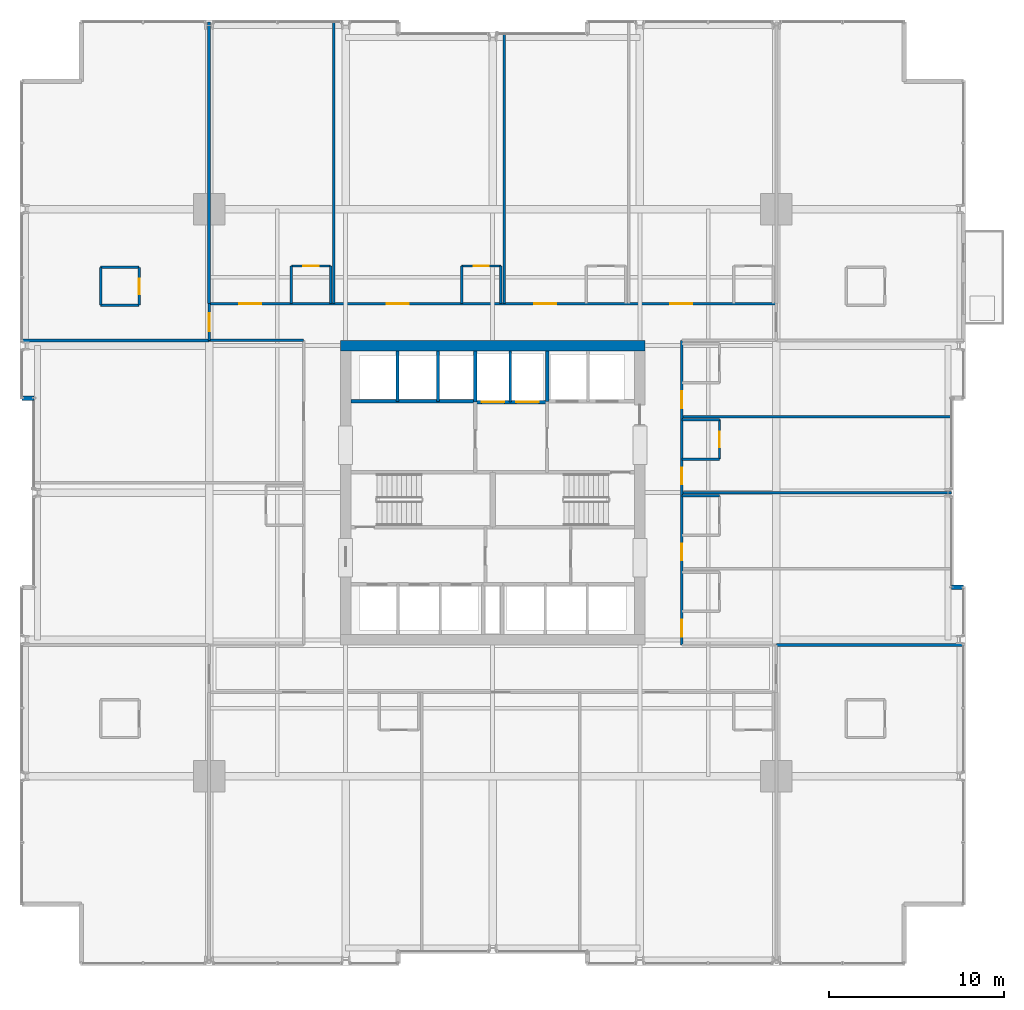
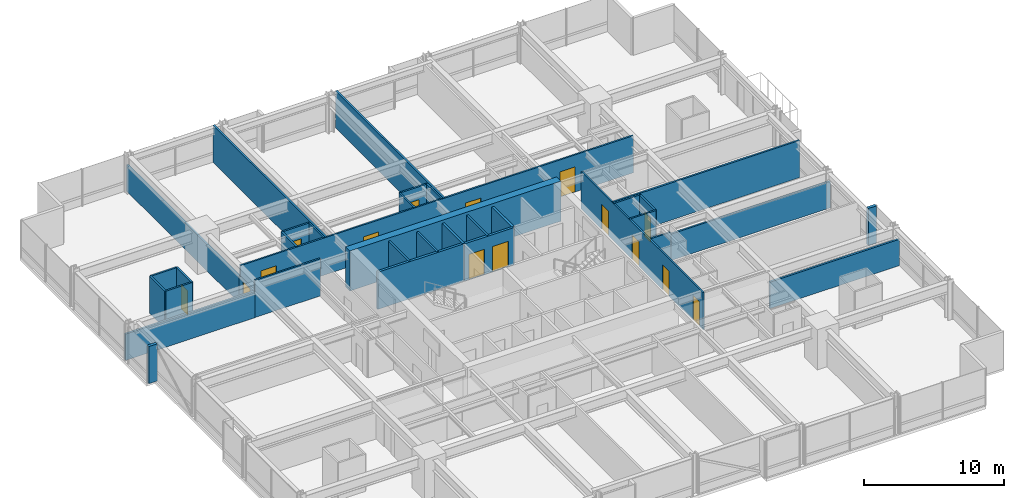
# One storey, part 32 of 37: 35 walls, 15 doors, 15 openings.
"""IFC4 building model written with IfcOpenShell, lengths in metres."""

from ifc_helpers import new_model, si_unit, direction, frame, frame_2d, origin, place, context, subcontext, project, spatial, rectangle, extrude, material, layer, layer_set, type_object, element, fill, save


model = new_model("IFC4")

# Units and contexts
model_context = context("Model", 3, precision=1e-05, world=origin(), true_north=direction((0.0, 1.0)))
body_context = subcontext(model_context, "Body", "Model", "MODEL_VIEW")
ifc_project = project(units=[si_unit("LENGTHUNIT", "METRE"), si_unit("AREAUNIT", "SQUARE_METRE"), si_unit("VOLUMEUNIT", "CUBIC_METRE"), si_unit("PLANEANGLEUNIT", "RADIAN"), si_unit("MASSUNIT", "GRAM", prefix="KILO")], contexts=[model_context])

# Site, building, storey
site_placement = place(None, origin())
site = spatial("IfcSite", under=ifc_project, at=site_placement, CompositionType="ELEMENT")
building_placement = place(site_placement, origin())
building = spatial("IfcBuilding", under=site, at=building_placement, Name="Drelvath Grand Hotel", CompositionType="ELEMENT")
storey_placement = place(building_placement, frame((0.0, 0.0, 43.699951171875)))
storey = spatial("IfcBuildingStorey", under=building, at=storey_placement, Name="L09", CompositionType="ELEMENT", Elevation=43.699951171875)

# Wall
ifc_material_1 = material(Name="Concrete C40/50", Category="concrete")
ifc_layer_1 = layer(ifc_material_1, 0.199951171875)
ifc_layer_set_1 = layer_set([ifc_layer_1], Name="Concrete C40/50")
wall_type_1 = type_object("IfcWallType", Name="Core Hoistway Fire Wall 200", PredefinedType="SOLIDWALL", material=ifc_layer_set_1)
wall_1_placement = place(storey_placement, frame((3.10009765625, 32.219970703125, 0.0), z_axis=(0.0, 0.0, 1.0), x_axis=(0.0, 1.0, 0.0)))
element("IfcWall", 1, at=wall_1_placement, inside=storey, type_object=wall_type_1, Name="L09 FSAE Hoistway West Wall", PredefinedType="SOLIDWALL", context=body_context, shape_type="SweptSolid", body=[
    extrude(rectangle(XDim=2.880126953125, YDim=0.199951171875, at=frame_2d((1.43994140625, 0.0))), origin(), (0.0, 0.0, 1.0), 3.239990234375),
])

# Wall, openings, doors
wall_2_placement = place(storey_placement, frame((-1.0, 32.179931640625, 0.0), z_axis=(0.0, 0.0, 1.0), x_axis=(1.0, 0.0, 0.0)))
wall_2 = element("IfcWall", 2, at=wall_2_placement, inside=storey, type_object=wall_type_1, Name="L09 Service Lift Hoistway Wall", PredefinedType="SOLIDWALL", context=body_context, shape_type="SweptSolid", body=[
    extrude(rectangle(XDim=4.10009765625, YDim=0.199951171875, at=frame_2d((2.050048828125, 0.0))), origin(), (0.0, 0.0, 1.0), 3.239990234375),
])
opening_1_placement = place(wall_2_placement, frame((0.3701171875, 0.0, 0.0)))
opening_1 = element("IfcOpeningElement", 3, at=opening_1_placement, cuts=wall_2, Name="Opening LD-SV-2", PredefinedType="OPENING", context=body_context, shape_type="SweptSolid", body=[
    extrude(rectangle(XDim=1.300048828125, YDim=2.199951171875, at=frame_2d((0.64990234375, 1.10009765625))), frame((0.0, 0.10986328125, 0.0), z_axis=(0.0, -1.0, 0.0), x_axis=(1.0, 0.0, 0.0)), (0.0, 0.0, 1.0), 0.219970703125),
])
opening_2_placement = place(wall_2_placement, frame((2.330078125, 0.0, 0.0)))
opening_2 = element("IfcOpeningElement", 4, at=opening_2_placement, cuts=wall_2, Name="Opening LD-SV-1", PredefinedType="OPENING", context=body_context, shape_type="SweptSolid", body=[
    extrude(rectangle(XDim=1.300048828125, YDim=2.199951171875, at=frame_2d((0.64990234375, 1.10009765625))), frame((0.0, 0.10986328125, 0.0), z_axis=(0.0, -1.0, 0.0), x_axis=(1.0, 0.0, 0.0)), (0.0, 0.0, 1.0), 0.219970703125),
])
ifc_material_2 = material(Name="Stainless Steel S355", Category="steel")
door_type_1 = type_object("IfcDoorType", Name="Service Lift Sliding Landing Door 1300x2200", OperationType="NOTDEFINED", PredefinedType="DOOR", material=ifc_material_2)
door_1_placement = place(opening_1_placement, origin())
door_1 = element("IfcDoor", 5, at=door_1_placement, inside=storey, type_object=door_type_1, Name="L09 Lift SV-2 Landing Door", OperationType="SLIDING_TO_LEFT", OverallHeight=2.199951171875, OverallWidth=1.300048828125, PredefinedType="DOOR", context=body_context, shape_type="SweptSolid", body=[
    extrude(rectangle(XDim=1.300048828125, YDim=2.199951171875, at=frame_2d((0.64990234375, 1.10009765625))), frame((0.0, 0.02490234375, 0.0), z_axis=(0.0, -1.0, 0.0), x_axis=(1.0, 0.0, 0.0)), (0.0, 0.0, 1.0), 0.050048828125),
])
fill(opening_1, door_1)
door_2_placement = place(opening_2_placement, origin())
door_2 = element("IfcDoor", 6, at=door_2_placement, inside=storey, type_object=door_type_1, Name="L09 Lift SV-1 Landing Door", OperationType="SLIDING_TO_LEFT", OverallHeight=2.199951171875, OverallWidth=1.300048828125, PredefinedType="DOOR", context=body_context, shape_type="SweptSolid", body=[
    extrude(rectangle(XDim=1.300048828125, YDim=2.199951171875, at=frame_2d((0.64990234375, 1.10009765625))), frame((0.0, 0.02490234375, 0.0), z_axis=(0.0, -1.0, 0.0), x_axis=(1.0, 0.0, 0.0)), (0.0, 0.0, 1.0), 0.050048828125),
])
fill(opening_2, door_2)

# Walls
wall_3_placement = place(storey_placement, frame((-1.0, 32.179931640625, 0.0), z_axis=(0.0, 0.0, 1.0), x_axis=(0.0, 1.0, 0.0)))
element("IfcWall", 7, at=wall_3_placement, inside=storey, type_object=wall_type_1, Name="L09 Service Lift West Wall", PredefinedType="SOLIDWALL", context=body_context, shape_type="SweptSolid", body=[
    extrude(rectangle(XDim=2.920166015625, YDim=0.199951171875, at=frame_2d((1.4599609375, 0.0))), origin(), (0.0, 0.0, 1.0), 3.239990234375),
])
wall_4_placement = place(storey_placement, frame((-8.10009765625, 32.219970703125, 0.0), z_axis=(0.0, 0.0, 1.0), x_axis=(1.0, 0.0, 0.0)))
element("IfcWall", 8, at=wall_4_placement, inside=storey, type_object=wall_type_1, Name="L09 Bank 3 Hoistway Wall", PredefinedType="SOLIDWALL", context=body_context, shape_type="SweptSolid", body=[
    extrude(rectangle(XDim=7.10009765625, YDim=0.199951171875, at=frame_2d((3.550048828125, 0.0))), origin(), (0.0, 0.0, 1.0), 3.239990234375),
])
ifc_material_3 = material(Name="Gypsum Fireboard Partition")
ifc_layer_2 = layer(ifc_material_3, 0.1650390625)
ifc_layer_set_2 = layer_set([ifc_layer_2], Name="Gypsum Fireboard Partition")
wall_type_2 = type_object("IfcWallType", Name="Core Shaft Partition 165", PredefinedType="PARTITIONING", material=ifc_layer_set_2)
wall_5_placement = place(storey_placement, frame((1.0, 32.179931640625, 0.0), z_axis=(0.0, 0.0, 1.0), x_axis=(0.0, 1.0, 0.0)))
element("IfcWall", 9, at=wall_5_placement, inside=storey, type_object=wall_type_2, Name="L09 Service Lift Divider", PredefinedType="PARTITIONING", context=body_context, shape_type="SweptSolid", body=[
    extrude(rectangle(XDim=2.920166015625, YDim=0.1650390625, at=frame_2d((1.4599609375, 0.0))), origin(), (0.0, 0.0, 1.0), 3.239990234375),
])
for number, where, z_axis, x_axis, name in (
    (10, (-5.43994140625, 32.219970703125, 0.0), (0.0, 0.0, 1.0), (0.0, 1.0, 0.0), "L09 Lift PE-7/8 Divider"),
    (11, (-3.1201171875, 32.219970703125, 0.0), (0.0, 0.0, 1.0), (0.0, 1.0, 0.0), "L09 Lift PE-8/9 Divider"),
):
    element("IfcWall", number, at=place(storey_placement, frame(where, z_axis=z_axis, x_axis=x_axis)), inside=storey, type_object=wall_type_2, Name=name, PredefinedType="PARTITIONING", context=body_context, shape_type="SweptSolid", body=[
        extrude(rectangle(XDim=2.880126953125, YDim=0.1650390625, at=frame_2d((1.43994140625, 0.0))), origin(), (0.0, 0.0, 1.0), 3.239990234375),
    ])

# Wall, openings, doors
ifc_layer_3 = layer(ifc_material_3, 0.135009765625)
ifc_layer_set_3 = layer_set([ifc_layer_3], Name="Gypsum Fireboard Partition")
wall_type_3 = type_object("IfcWallType", Name="Corridor Fire Barrier Wall 135", PredefinedType="PARTITIONING", material=ifc_layer_set_3)
wall_6_placement = place(storey_placement, frame((-16.199951171875, 37.800048828125, 0.0), z_axis=(0.0, 0.0, 1.0), x_axis=(1.0, 0.0, 0.0)))
wall_6 = element("IfcWall", 12, at=wall_6_placement, inside=storey, type_object=wall_type_3, Name="L09 North Corridor Wall", PredefinedType="PARTITIONING", context=body_context, shape_type="SweptSolid", body=[
    extrude(rectangle(XDim=32.39990234375, YDim=0.135009765625, at=frame_2d((16.199951171875, 0.0))), origin(), (0.0, 0.0, 1.0), 3.239990234375),
])
opening_3_placement = place(wall_6_placement, frame((1.718994140625, 0.0, 0.0)))
opening_3 = element("IfcOpeningElement", 13, at=opening_3_placement, cuts=wall_6, Name="Opening D-T1G2-030", PredefinedType="OPENING", context=body_context, shape_type="SweptSolid", body=[
    extrude(rectangle(XDim=1.260009765625, YDim=2.199951171875, at=frame_2d((0.6298828125, 1.10009765625))), frame((0.0, 0.077392578125, 0.0), z_axis=(0.0, -1.0, 0.0), x_axis=(1.0, 0.0, 0.0)), (0.0, 0.0, 1.0), 0.155029296875),
])
opening_4_placement = place(wall_6_placement, frame((10.14306640625, 0.0, 0.0)))
opening_4 = element("IfcOpeningElement", 14, at=opening_4_placement, cuts=wall_6, Name="Opening D-T1G2-032", PredefinedType="OPENING", context=body_context, shape_type="SweptSolid", body=[
    extrude(rectangle(XDim=1.260009765625, YDim=2.199951171875, at=frame_2d((0.6298828125, 1.10009765625))), frame((0.0, 0.077392578125, 0.0), z_axis=(0.0, -1.0, 0.0), x_axis=(1.0, 0.0, 0.0)), (0.0, 0.0, 1.0), 0.155029296875),
])
opening_5_placement = place(wall_6_placement, frame((18.56689453125, 0.0, 0.0)))
opening_5 = element("IfcOpeningElement", 15, at=opening_5_placement, cuts=wall_6, Name="Opening D-T1G2-034", PredefinedType="OPENING", context=body_context, shape_type="SweptSolid", body=[
    extrude(rectangle(XDim=1.260009765625, YDim=2.199951171875, at=frame_2d((0.6298828125, 1.10009765625))), frame((0.0, 0.077392578125, 0.0), z_axis=(0.0, -1.0, 0.0), x_axis=(1.0, 0.0, 0.0)), (0.0, 0.0, 1.0), 0.155029296875),
])
opening_6_placement = place(wall_6_placement, frame((26.343017578125, 0.0, 0.0)))
opening_6 = element("IfcOpeningElement", 16, at=opening_6_placement, cuts=wall_6, Name="Opening D-T1G2-036", PredefinedType="OPENING", context=body_context, shape_type="SweptSolid", body=[
    extrude(rectangle(XDim=1.260009765625, YDim=2.199951171875, at=frame_2d((0.6298828125, 1.10009765625))), frame((0.0, 0.077392578125, 0.0), z_axis=(0.0, -1.0, 0.0), x_axis=(1.0, 0.0, 0.0)), (0.0, 0.0, 1.0), 0.155029296875),
])
ifc_material_4 = material(Name="Hardwood Walnut Timber", Category="wood")
door_type_2 = type_object("IfcDoorType", Name="Suite Entrance Fire Door 1260x2200", OperationType="NOTDEFINED", PredefinedType="DOOR", material=ifc_material_4)
door_3_placement = place(opening_3_placement, origin())
door_3 = element("IfcDoor", 17, at=door_3_placement, inside=storey, type_object=door_type_2, Name="L09 Corner Suite Entry Door", OperationType="SINGLE_SWING_LEFT", OverallHeight=2.199951171875, OverallWidth=1.260009765625, PredefinedType="DOOR", context=body_context, shape_type="SweptSolid", body=[
    extrude(rectangle(XDim=1.260009765625, YDim=2.199951171875, at=frame_2d((0.6298828125, 1.10009765625))), frame((0.0, 0.02490234375, 0.0), z_axis=(0.0, -1.0, 0.0), x_axis=(1.0, 0.0, 0.0)), (0.0, 0.0, 1.0), 0.050048828125),
])
fill(opening_3, door_3)
door_4_placement = place(opening_4_placement, origin())
door_4 = element("IfcDoor", 18, at=door_4_placement, inside=storey, type_object=door_type_2, Name="L09 Corner Suite Entry Door", OperationType="SINGLE_SWING_LEFT", OverallHeight=2.199951171875, OverallWidth=1.260009765625, PredefinedType="DOOR", context=body_context, shape_type="SweptSolid", body=[
    extrude(rectangle(XDim=1.260009765625, YDim=2.199951171875, at=frame_2d((0.6298828125, 1.10009765625))), frame((0.0, 0.02490234375, 0.0), z_axis=(0.0, -1.0, 0.0), x_axis=(1.0, 0.0, 0.0)), (0.0, 0.0, 1.0), 0.050048828125),
])
fill(opening_4, door_4)
door_5_placement = place(opening_5_placement, origin())
door_5 = element("IfcDoor", 19, at=door_5_placement, inside=storey, type_object=door_type_2, Name="L09 Corner Suite Entry Door", OperationType="SINGLE_SWING_LEFT", OverallHeight=2.199951171875, OverallWidth=1.260009765625, PredefinedType="DOOR", context=body_context, shape_type="SweptSolid", body=[
    extrude(rectangle(XDim=1.260009765625, YDim=2.199951171875, at=frame_2d((0.6298828125, 1.10009765625))), frame((0.0, 0.02490234375, 0.0), z_axis=(0.0, -1.0, 0.0), x_axis=(1.0, 0.0, 0.0)), (0.0, 0.0, 1.0), 0.050048828125),
])
fill(opening_5, door_5)
door_6_placement = place(opening_6_placement, origin())
door_6 = element("IfcDoor", 20, at=door_6_placement, inside=storey, type_object=door_type_2, Name="L09 Corner Suite Entry Door", OperationType="SINGLE_SWING_LEFT", OverallHeight=2.199951171875, OverallWidth=1.260009765625, PredefinedType="DOOR", context=body_context, shape_type="SweptSolid", body=[
    extrude(rectangle(XDim=1.260009765625, YDim=2.199951171875, at=frame_2d((0.6298828125, 1.10009765625))), frame((0.0, 0.02490234375, 0.0), z_axis=(0.0, -1.0, 0.0), x_axis=(1.0, 0.0, 0.0)), (0.0, 0.0, 1.0), 0.050048828125),
])
fill(opening_6, door_6)

# Wall
wall_7_placement = place(storey_placement, frame((-16.199951171875, 35.699951171875, 0.0), z_axis=(0.0, 0.0, 1.0), x_axis=(1.0, 0.0, 0.0)))
element("IfcWall", 21, at=wall_7_placement, inside=storey, type_object=wall_type_3, Name="L09 NW Spur Inner Wall", PredefinedType="PARTITIONING", context=body_context, shape_type="SweptSolid", body=[
    extrude(rectangle(XDim=5.39990234375, YDim=0.135009765625, at=frame_2d((2.699951171875, 0.0))), origin(), (0.0, 0.0, 1.0), 3.239990234375),
])

# Wall, openings, doors
wall_8_placement = place(storey_placement, frame((10.800048828125, 18.300048828125, 0.0), z_axis=(0.0, 0.0, 1.0), x_axis=(0.0, 1.0, 0.0)))
wall_8 = element("IfcWall", 22, at=wall_8_placement, inside=storey, type_object=wall_type_3, Name="L09 East Corridor Wall", PredefinedType="PARTITIONING", context=body_context, shape_type="SweptSolid", body=[
    extrude(rectangle(XDim=17.39990234375, YDim=0.135009765625, at=frame_2d((8.699951171875, 0.0))), origin(), (0.0, 0.0, 1.0), 3.239990234375),
])
opening_7_placement = place(wall_8_placement, frame((0.47998046875, 0.0, 0.0)))
opening_7 = element("IfcOpeningElement", 23, at=opening_7_placement, cuts=wall_8, Name="Opening D-T1G2-041", PredefinedType="OPENING", context=body_context, shape_type="SweptSolid", body=[
    extrude(rectangle(XDim=0.9599609375, YDim=2.14990234375, at=frame_2d((0.47998046875, 1.074951171875))), frame((0.0, 0.077392578125, 0.0), z_axis=(0.0, -1.0, 0.0), x_axis=(1.0, 0.0, 0.0)), (0.0, 0.0, 1.0), 0.155029296875),
])
opening_8_placement = place(wall_8_placement, frame((4.830078125, 0.0, 0.0)))
opening_8 = element("IfcOpeningElement", 24, at=opening_8_placement, cuts=wall_8, Name="Opening D-T1G2-043", PredefinedType="OPENING", context=body_context, shape_type="SweptSolid", body=[
    extrude(rectangle(XDim=0.9599609375, YDim=2.14990234375, at=frame_2d((0.47998046875, 1.074951171875))), frame((0.0, 0.077392578125, 0.0), z_axis=(0.0, -1.0, 0.0), x_axis=(1.0, 0.0, 0.0)), (0.0, 0.0, 1.0), 0.155029296875),
])
opening_9_placement = place(wall_8_placement, frame((9.179931640625, 0.0, 0.0)))
opening_9 = element("IfcOpeningElement", 25, at=opening_9_placement, cuts=wall_8, Name="Opening D-T1G2-045", PredefinedType="OPENING", context=body_context, shape_type="SweptSolid", body=[
    extrude(rectangle(XDim=0.9599609375, YDim=2.14990234375, at=frame_2d((0.47998046875, 1.074951171875))), frame((0.0, 0.077392578125, 0.0), z_axis=(0.0, -1.0, 0.0), x_axis=(1.0, 0.0, 0.0)), (0.0, 0.0, 1.0), 0.155029296875),
])
opening_10_placement = place(wall_8_placement, frame((13.530029296875, 0.0, 0.0)))
opening_10 = element("IfcOpeningElement", 26, at=opening_10_placement, cuts=wall_8, Name="Opening D-T1G2-047", PredefinedType="OPENING", context=body_context, shape_type="SweptSolid", body=[
    extrude(rectangle(XDim=0.9599609375, YDim=2.14990234375, at=frame_2d((0.47998046875, 1.074951171875))), frame((0.0, 0.077392578125, 0.0), z_axis=(0.0, -1.0, 0.0), x_axis=(1.0, 0.0, 0.0)), (0.0, 0.0, 1.0), 0.155029296875),
])
door_type_3 = type_object("IfcDoorType", Name="Guestroom Entrance Fire Door 960x2150", OperationType="NOTDEFINED", PredefinedType="DOOR", material=ifc_material_4)
door_7_placement = place(opening_7_placement, origin())
door_7 = element("IfcDoor", 27, at=door_7_placement, inside=storey, type_object=door_type_3, Name="L09 Deluxe Guest Room Entry Door", OperationType="SINGLE_SWING_RIGHT", OverallHeight=2.14990234375, OverallWidth=0.9599609375, PredefinedType="DOOR", context=body_context, shape_type="SweptSolid", body=[
    extrude(rectangle(XDim=0.9599609375, YDim=2.14990234375, at=frame_2d((0.47998046875, 1.074951171875))), frame((0.0, 0.02490234375, 0.0), z_axis=(0.0, -1.0, 0.0), x_axis=(1.0, 0.0, 0.0)), (0.0, 0.0, 1.0), 0.050048828125),
])
fill(opening_7, door_7)
door_8_placement = place(opening_8_placement, origin())
door_8 = element("IfcDoor", 28, at=door_8_placement, inside=storey, type_object=door_type_3, Name="L09 Deluxe Guest Room Entry Door", OperationType="SINGLE_SWING_RIGHT", OverallHeight=2.14990234375, OverallWidth=0.9599609375, PredefinedType="DOOR", context=body_context, shape_type="SweptSolid", body=[
    extrude(rectangle(XDim=0.9599609375, YDim=2.14990234375, at=frame_2d((0.47998046875, 1.074951171875))), frame((0.0, 0.02490234375, 0.0), z_axis=(0.0, -1.0, 0.0), x_axis=(1.0, 0.0, 0.0)), (0.0, 0.0, 1.0), 0.050048828125),
])
fill(opening_8, door_8)
door_9_placement = place(opening_9_placement, origin())
door_9 = element("IfcDoor", 29, at=door_9_placement, inside=storey, type_object=door_type_3, Name="L09 Deluxe Guest Room Entry Door", OperationType="SINGLE_SWING_RIGHT", OverallHeight=2.14990234375, OverallWidth=0.9599609375, PredefinedType="DOOR", context=body_context, shape_type="SweptSolid", body=[
    extrude(rectangle(XDim=0.9599609375, YDim=2.14990234375, at=frame_2d((0.47998046875, 1.074951171875))), frame((0.0, 0.02490234375, 0.0), z_axis=(0.0, -1.0, 0.0), x_axis=(1.0, 0.0, 0.0)), (0.0, 0.0, 1.0), 0.050048828125),
])
fill(opening_9, door_9)
door_10_placement = place(opening_10_placement, origin())
door_10 = element("IfcDoor", 30, at=door_10_placement, inside=storey, type_object=door_type_3, Name="L09 Deluxe Guest Room Entry Door", OperationType="SINGLE_SWING_RIGHT", OverallHeight=2.14990234375, OverallWidth=0.9599609375, PredefinedType="DOOR", context=body_context, shape_type="SweptSolid", body=[
    extrude(rectangle(XDim=0.9599609375, YDim=2.14990234375, at=frame_2d((0.47998046875, 1.074951171875))), frame((0.0, 0.02490234375, 0.0), z_axis=(0.0, -1.0, 0.0), x_axis=(1.0, 0.0, 0.0)), (0.0, 0.0, 1.0), 0.050048828125),
])
fill(opening_10, door_10)

# Wall, opening, door
wall_9_placement = place(storey_placement, frame((-16.199951171875, 35.699951171875, 0.0), z_axis=(0.0, 0.0, 1.0), x_axis=(0.0, 1.0, 0.0)))
wall_9 = element("IfcWall", 31, at=wall_9_placement, inside=storey, type_object=wall_type_3, Name="L09 North Corridor West End", PredefinedType="PARTITIONING", context=body_context, shape_type="SweptSolid", body=[
    extrude(rectangle(XDim=2.10009765625, YDim=0.135009765625, at=frame_2d((1.050048828125, 0.0))), origin(), (0.0, 0.0, 1.0), 2.29833984375),
])
opening_11_placement = place(wall_9_placement, frame((0.52001953125, 0.0, 0.0)))
opening_11 = element("IfcOpeningElement", 32, at=opening_11_placement, cuts=wall_9, Name="Opening D-T1G2-021", PredefinedType="OPENING", context=body_context, shape_type="SweptSolid", body=[
    extrude(rectangle(XDim=1.02001953125, YDim=2.14990234375, at=frame_2d((0.510009765625, 1.074951171875))), frame((0.0, 0.077392578125, 0.0), z_axis=(0.0, -1.0, 0.0), x_axis=(1.0, 0.0, 0.0)), (0.0, 0.0, 1.0), 0.155029296875),
])
door_type_4 = type_object("IfcDoorType", Name="Amenity Meeting Fire Door 1020x2150", OperationType="NOTDEFINED", PredefinedType="DOOR", material=ifc_material_4)
door_11_placement = place(opening_11_placement, origin())
door_11 = element("IfcDoor", 33, at=door_11_placement, inside=storey, type_object=door_type_4, Name="L09 Corner Suite Entry Door", OperationType="SINGLE_SWING_RIGHT", OverallHeight=2.14990234375, OverallWidth=1.02001953125, PredefinedType="DOOR", context=body_context, shape_type="SweptSolid", body=[
    extrude(rectangle(XDim=1.02001953125, YDim=2.14990234375, at=frame_2d((0.510009765625, 1.074951171875))), frame((0.0, 0.02490234375, 0.0), z_axis=(0.0, -1.0, 0.0), x_axis=(1.0, 0.0, 0.0)), (0.0, 0.0, 1.0), 0.050048828125),
])
fill(opening_11, door_11)

# Walls
ifc_material_5 = material(Name="Moisture-Resistant Gypsum Board")
ifc_layer_4 = layer(ifc_material_5, 0.139892578125)
ifc_layer_set_4 = layer_set([ifc_layer_4], Name="Moisture-Resistant Gypsum Board")
wall_type_4 = type_object("IfcWallType", Name="En-Suite Plumbing Wall 140", PredefinedType="PLUMBINGWALL", material=ifc_layer_set_4)
for number, where, z_axis, x_axis, name in (
    (34, (-22.39990234375, 37.719970703125, 0.0), (0.0, 0.0, 1.0), (1.0, 0.0, 0.0), "L09 Corner En-Suite South"),
    (35, (-22.39990234375, 39.8701171875, 0.0), (0.0, 0.0, 1.0), (1.0, 0.0, 0.0), "L09 Corner En-Suite North"),
):
    element("IfcWall", number, at=place(storey_placement, frame(where, z_axis=z_axis, x_axis=x_axis)), inside=storey, type_object=wall_type_4, Name=name, PredefinedType="PLUMBINGWALL", context=body_context, shape_type="SweptSolid", body=[
        extrude(rectangle(XDim=2.199951171875, YDim=0.139892578125, at=frame_2d((1.10009765625, 0.0))), origin(), (0.0, 0.0, 1.0), 3.239990234375),
    ])
wall_10_placement = place(storey_placement, frame((-22.39990234375, 37.719970703125, 0.0), z_axis=(0.0, 0.0, 1.0), x_axis=(0.0, 1.0, 0.0)))
element("IfcWall", 36, at=wall_10_placement, inside=storey, type_object=wall_type_4, Name="L09 Corner En-Suite West", PredefinedType="PLUMBINGWALL", context=body_context, shape_type="SweptSolid", body=[
    extrude(rectangle(XDim=2.150146484375, YDim=0.139892578125, at=frame_2d((1.0751953125, 0.0))), origin(), (0.0, 0.0, 1.0), 3.239990234375),
])

# Wall, opening, door
wall_11_placement = place(storey_placement, frame((-20.199951171875, 37.719970703125, 0.0), z_axis=(0.0, 0.0, 1.0), x_axis=(0.0, 1.0, 0.0)))
wall_11 = element("IfcWall", 37, at=wall_11_placement, inside=storey, type_object=wall_type_4, Name="L09 Corner En-Suite East", PredefinedType="PLUMBINGWALL", context=body_context, shape_type="SweptSolid", body=[
    extrude(rectangle(XDim=2.150146484375, YDim=0.139892578125, at=frame_2d((1.0751953125, 0.0))), origin(), (0.0, 0.0, 1.0), 3.239990234375),
])
opening_12_placement = place(wall_11_placement, frame((0.6201171875, 0.0, 0.0)))
opening_12 = element("IfcOpeningElement", 38, at=opening_12_placement, cuts=wall_11, Name="Opening D-T1G2-020", PredefinedType="OPENING", context=body_context, shape_type="SweptSolid", body=[
    extrude(rectangle(XDim=0.8798828125, YDim=2.10009765625, at=frame_2d((0.43994140625, 1.050048828125))), frame((0.0, 0.079833984375, 0.0), z_axis=(0.0, -1.0, 0.0), x_axis=(1.0, 0.0, 0.0)), (0.0, 0.0, 1.0), 0.159912109375),
])
door_type_5 = type_object("IfcDoorType", Name="En-Suite Bathroom Door 880x2100", OperationType="NOTDEFINED", PredefinedType="DOOR", material=ifc_material_4)
door_12_placement = place(opening_12_placement, origin())
door_12 = element("IfcDoor", 39, at=door_12_placement, inside=storey, type_object=door_type_5, Name="L09 Corner En-Suite Door", OperationType="SINGLE_SWING_LEFT", OverallHeight=2.10009765625, OverallWidth=0.8798828125, PredefinedType="DOOR", context=body_context, shape_type="SweptSolid", body=[
    extrude(rectangle(XDim=0.8798828125, YDim=2.10009765625, at=frame_2d((0.43994140625, 1.050048828125))), frame((0.0, 0.02490234375, 0.0), z_axis=(0.0, -1.0, 0.0), x_axis=(1.0, 0.0, 0.0)), (0.0, 0.0, 1.0), 0.050048828125),
])
fill(opening_12, door_12)

# Walls
for number, where, z_axis, x_axis, name in (
    (40, (-11.501953125, 37.800048828125, 0.0), (0.0, 0.0, 1.0), (0.0, 1.0, 0.0), "L09 En-Suite Left Wall"),
    (41, (-9.251953125, 37.800048828125, 0.0), (0.0, 0.0, 1.0), (0.0, 1.0, 0.0), "L09 En-Suite Right Wall"),
):
    element("IfcWall", number, at=place(storey_placement, frame(where, z_axis=z_axis, x_axis=x_axis)), inside=storey, type_object=wall_type_4, Name=name, PredefinedType="PLUMBINGWALL", context=body_context, shape_type="SweptSolid", body=[
        extrude(rectangle(XDim=2.14990234375, YDim=0.139892578125, at=frame_2d((1.074951171875, 0.0))), origin(), (0.0, 0.0, 1.0), 3.239990234375),
    ])

# Wall, opening, door
wall_12_placement = place(storey_placement, frame((-11.501953125, 39.949951171875, 0.0), z_axis=(0.0, 0.0, 1.0), x_axis=(1.0, 0.0, 0.0)))
wall_12 = element("IfcWall", 42, at=wall_12_placement, inside=storey, type_object=wall_type_4, Name="L09 En-Suite Front Wall", PredefinedType="PLUMBINGWALL", context=body_context, shape_type="SweptSolid", body=[
    extrude(rectangle(XDim=2.25, YDim=0.139892578125, at=frame_2d((1.125, 0.0))), origin(), (0.0, 0.0, 1.0), 3.239990234375),
])
opening_13_placement = place(wall_12_placement, frame((0.68505859375, 0.0, 0.0)))
opening_13 = element("IfcOpeningElement", 43, at=opening_13_placement, cuts=wall_12, Name="Opening D-T1G2-029", PredefinedType="OPENING", context=body_context, shape_type="SweptSolid", body=[
    extrude(rectangle(XDim=0.8798828125, YDim=2.10009765625, at=frame_2d((0.43994140625, 1.050048828125))), frame((0.0, 0.079833984375, 0.0), z_axis=(0.0, -1.0, 0.0), x_axis=(1.0, 0.0, 0.0)), (0.0, 0.0, 1.0), 0.159912109375),
])
door_13_placement = place(opening_13_placement, origin())
door_13 = element("IfcDoor", 44, at=door_13_placement, inside=storey, type_object=door_type_5, Name="L09 En-Suite Bathroom Door", OperationType="SINGLE_SWING_RIGHT", OverallHeight=2.10009765625, OverallWidth=0.8798828125, PredefinedType="DOOR", context=body_context, shape_type="SweptSolid", body=[
    extrude(rectangle(XDim=0.8798828125, YDim=2.10009765625, at=frame_2d((0.43994140625, 1.050048828125))), frame((0.0, 0.02490234375, 0.0), z_axis=(0.0, -1.0, 0.0), x_axis=(1.0, 0.0, 0.0)), (0.0, 0.0, 1.0), 0.050048828125),
])
fill(opening_13, door_13)

# Walls
for number, where, z_axis, x_axis, name in (
    (45, (-1.781982421875, 37.800048828125, 0.0), (0.0, 0.0, 1.0), (0.0, 1.0, 0.0), "L09 En-Suite Left Wall"),
    (46, (0.468017578125, 37.800048828125, 0.0), (0.0, 0.0, 1.0), (0.0, 1.0, 0.0), "L09 En-Suite Right Wall"),
):
    element("IfcWall", number, at=place(storey_placement, frame(where, z_axis=z_axis, x_axis=x_axis)), inside=storey, type_object=wall_type_4, Name=name, PredefinedType="PLUMBINGWALL", context=body_context, shape_type="SweptSolid", body=[
        extrude(rectangle(XDim=2.14990234375, YDim=0.139892578125, at=frame_2d((1.074951171875, 0.0))), origin(), (0.0, 0.0, 1.0), 3.239990234375),
    ])

# Wall, opening, door
wall_13_placement = place(storey_placement, frame((-1.781982421875, 39.949951171875, 0.0), z_axis=(0.0, 0.0, 1.0), x_axis=(1.0, 0.0, 0.0)))
wall_13 = element("IfcWall", 47, at=wall_13_placement, inside=storey, type_object=wall_type_4, Name="L09 En-Suite Front Wall", PredefinedType="PLUMBINGWALL", context=body_context, shape_type="SweptSolid", body=[
    extrude(rectangle(XDim=2.25, YDim=0.139892578125, at=frame_2d((1.125, 0.0))), origin(), (0.0, 0.0, 1.0), 3.239990234375),
])
opening_14_placement = place(wall_13_placement, frame((0.68505859375, 0.0, 0.0)))
opening_14 = element("IfcOpeningElement", 48, at=opening_14_placement, cuts=wall_13, Name="Opening D-T1G2-031", PredefinedType="OPENING", context=body_context, shape_type="SweptSolid", body=[
    extrude(rectangle(XDim=0.8798828125, YDim=2.10009765625, at=frame_2d((0.43994140625, 1.050048828125))), frame((0.0, 0.079833984375, 0.0), z_axis=(0.0, -1.0, 0.0), x_axis=(1.0, 0.0, 0.0)), (0.0, 0.0, 1.0), 0.159912109375),
])
door_14_placement = place(opening_14_placement, origin())
door_14 = element("IfcDoor", 49, at=door_14_placement, inside=storey, type_object=door_type_5, Name="L09 En-Suite Bathroom Door", OperationType="SINGLE_SWING_RIGHT", OverallHeight=2.10009765625, OverallWidth=0.8798828125, PredefinedType="DOOR", context=body_context, shape_type="SweptSolid", body=[
    extrude(rectangle(XDim=0.8798828125, YDim=2.10009765625, at=frame_2d((0.43994140625, 1.050048828125))), frame((0.0, 0.02490234375, 0.0), z_axis=(0.0, -1.0, 0.0), x_axis=(1.0, 0.0, 0.0)), (0.0, 0.0, 1.0), 0.050048828125),
])
fill(opening_14, door_14)

# Walls
wall_14_placement = place(storey_placement, frame((10.800048828125, 26.820068359375, 0.0), z_axis=(0.0, 0.0, 1.0), x_axis=(1.0, 0.0, 0.0)))
element("IfcWall", 50, at=wall_14_placement, inside=storey, type_object=wall_type_4, Name="L09 En-Suite Right Wall", PredefinedType="PLUMBINGWALL", context=body_context, shape_type="SweptSolid", body=[
    extrude(rectangle(XDim=2.14990234375, YDim=0.139892578125, at=frame_2d((1.074951171875, 0.0))), origin(), (0.0, 0.0, 1.0), 2.617431640625),
])
for number, where, z_axis, x_axis, name in (
    (51, (10.800048828125, 28.919921875, 0.0), (0.0, 0.0, 1.0), (1.0, 0.0, 0.0), "L09 En-Suite Left Wall"),
    (52, (10.800048828125, 31.169921875, 0.0), (0.0, 0.0, 1.0), (1.0, 0.0, 0.0), "L09 En-Suite Right Wall"),
):
    element("IfcWall", number, at=place(storey_placement, frame(where, z_axis=z_axis, x_axis=x_axis)), inside=storey, type_object=wall_type_4, Name=name, PredefinedType="PLUMBINGWALL", context=body_context, shape_type="SweptSolid", body=[
        extrude(rectangle(XDim=2.14990234375, YDim=0.139892578125, at=frame_2d((1.074951171875, 0.0))), origin(), (0.0, 0.0, 1.0), 3.239990234375),
    ])

# Wall, opening, door
wall_15_placement = place(storey_placement, frame((12.949951171875, 28.919921875, 0.0), z_axis=(0.0, 0.0, 1.0), x_axis=(0.0, 1.0, 0.0)))
wall_15 = element("IfcWall", 53, at=wall_15_placement, inside=storey, type_object=wall_type_4, Name="L09 En-Suite Front Wall", PredefinedType="PLUMBINGWALL", context=body_context, shape_type="SweptSolid", body=[
    extrude(rectangle(XDim=2.25, YDim=0.139892578125, at=frame_2d((1.125, 0.0))), origin(), (0.0, 0.0, 1.0), 3.239990234375),
])
opening_15_placement = place(wall_15_placement, frame((0.68505859375, 0.0, 0.0)))
opening_15 = element("IfcOpeningElement", 54, at=opening_15_placement, cuts=wall_15, Name="Opening D-T1G2-044", PredefinedType="OPENING", context=body_context, shape_type="SweptSolid", body=[
    extrude(rectangle(XDim=0.8798828125, YDim=2.10009765625, at=frame_2d((0.43994140625, 1.050048828125))), frame((0.0, 0.079833984375, 0.0), z_axis=(0.0, -1.0, 0.0), x_axis=(1.0, 0.0, 0.0)), (0.0, 0.0, 1.0), 0.159912109375),
])
door_15_placement = place(opening_15_placement, origin())
door_15 = element("IfcDoor", 55, at=door_15_placement, inside=storey, type_object=door_type_5, Name="L09 En-Suite Bathroom Door", OperationType="SINGLE_SWING_LEFT", OverallHeight=2.10009765625, OverallWidth=0.8798828125, PredefinedType="DOOR", context=body_context, shape_type="SweptSolid", body=[
    extrude(rectangle(XDim=0.8798828125, YDim=2.10009765625, at=frame_2d((0.43994140625, 1.050048828125))), frame((0.0, 0.02490234375, 0.0), z_axis=(0.0, -1.0, 0.0), x_axis=(1.0, 0.0, 0.0)), (0.0, 0.0, 1.0), 0.050048828125),
])
fill(opening_15, door_15)

# Walls
ifc_material_6 = material(Name="Gypsum Acoustic Partition")
ifc_layer_5 = layer(ifc_material_6, 0.14990234375)
ifc_layer_set_5 = layer_set([ifc_layer_5], Name="Gypsum Acoustic Partition")
wall_type_5 = type_object("IfcWallType", Name="Guestroom Demising Wall 150", PredefinedType="PARTITIONING", material=ifc_layer_set_5)
wall_16_placement = place(storey_placement, frame((-9.072021484375, 37.800048828125, 0.0), z_axis=(0.0, 0.0, 1.0), x_axis=(0.0, 1.0, 0.0)))
element("IfcWall", 56, at=wall_16_placement, inside=storey, type_object=wall_type_5, Name="L09 North Demising 1", PredefinedType="PARTITIONING", context=body_context, shape_type="SweptSolid", body=[
    extrude(rectangle(XDim=16.079833984375, YDim=0.14990234375, at=frame_2d((8.0400390625, 0.0))), origin(), (0.0, 0.0, 1.0), 3.239990234375),
])
wall_17_placement = place(storey_placement, frame((0.64794921875, 37.800048828125, 0.0), z_axis=(0.0, 0.0, 1.0), x_axis=(0.0, 1.0, 0.0)))
element("IfcWall", 57, at=wall_17_placement, inside=storey, type_object=wall_type_5, Name="L09 North Demising 2", PredefinedType="PARTITIONING", context=body_context, shape_type="SweptSolid", body=[
    extrude(rectangle(XDim=15.39990234375, YDim=0.14990234375, at=frame_2d((7.699951171875, 0.0))), origin(), (0.0, 0.0, 1.0), 3.239990234375),
])
wall_18_placement = place(storey_placement, frame((10.800048828125, 27.0, 0.0), z_axis=(0.0, 0.0, 1.0), x_axis=(1.0, 0.0, 0.0)))
element("IfcWall", 58, at=wall_18_placement, inside=storey, type_object=wall_type_5, Name="L09 East Demising 2", PredefinedType="PARTITIONING", context=body_context, shape_type="SweptSolid", body=[
    extrude(rectangle(XDim=15.39990234375, YDim=0.14990234375, at=frame_2d((7.699951171875, 0.0))), origin(), (0.0, 0.0, 1.0), 2.29833984375),
])
wall_19_placement = place(storey_placement, frame((10.800048828125, 31.35009765625, 0.0), z_axis=(0.0, 0.0, 1.0), x_axis=(1.0, 0.0, 0.0)))
element("IfcWall", 59, at=wall_19_placement, inside=storey, type_object=wall_type_5, Name="L09 East Demising 3", PredefinedType="PARTITIONING", context=body_context, shape_type="SweptSolid", body=[
    extrude(rectangle(XDim=15.39990234375, YDim=0.14990234375, at=frame_2d((7.699951171875, 0.0))), origin(), (0.0, 0.0, 1.0), 3.239990234375),
])
ifc_material_7 = material(Name="Concrete f'c 70 MPa", Category="concrete")
ifc_layer_6 = layer(ifc_material_7, 0.60009765625)
ifc_layer_set_6 = layer_set([ifc_layer_6], Name="Concrete f'c 70 MPa")
wall_type_6 = type_object("IfcWallType", Name="Lower Core RC Shear Wall 600", PredefinedType="SHEAR", material=ifc_layer_set_6)
wall_20_placement = place(storey_placement, frame((-8.699951171875, 35.39990234375, 0.0), z_axis=(0.0, 0.0, 1.0), x_axis=(1.0, 0.0, 0.0)))
element("IfcWall", 60, at=wall_20_placement, inside=storey, type_object=wall_type_6, Name="L09 Central Core Shear Wall N", PredefinedType="SHEAR", context=body_context, shape_type="SweptSolid", body=[
    extrude(rectangle(XDim=17.39990234375, YDim=0.60009765625, at=frame_2d((8.699951171875, 0.0))), origin(), (0.0, 0.0, 1.0), 3.5),
])
ifc_layer_7 = layer(ifc_material_6, 0.1650390625)
ifc_layer_set_7 = layer_set([ifc_layer_7], Name="Gypsum Acoustic Partition")
wall_type_7 = type_object("IfcWallType", Name="Suite Demising Wall 165", PredefinedType="PARTITIONING", material=ifc_layer_set_7)
wall_21_placement = place(storey_placement, frame((-16.199951171875, 37.800048828125, 0.0), z_axis=(0.0, 0.0, 1.0), x_axis=(0.0, 1.0, 0.0)))
element("IfcWall", 61, at=wall_21_placement, inside=storey, type_object=wall_type_7, Name="L09 NW Wing Boundary Wall", PredefinedType="PARTITIONING", context=body_context, shape_type="SweptSolid", body=[
    extrude(rectangle(XDim=16.079833984375, YDim=0.1650390625, at=frame_2d((8.0400390625, 0.0))), origin(), (0.0, 0.0, 1.0), 2.29833984375),
])
for number, where, z_axis, x_axis, name in (
    (62, (16.199951171875, 18.300048828125, 0.0), (0.0, 0.0, 1.0), (1.0, 0.0, 0.0), "L09 SE Corner North Wall"),
    (63, (-26.8798828125, 35.699951171875, 0.0), (0.0, 0.0, 1.0), (1.0, 0.0, 0.0), "L09 NW Corner South Wall"),
):
    element("IfcWall", number, at=place(storey_placement, frame(where, z_axis=z_axis, x_axis=x_axis)), inside=storey, type_object=wall_type_7, Name=name, PredefinedType="PARTITIONING", context=body_context, shape_type="SweptSolid", body=[
        extrude(rectangle(XDim=10.679931640625, YDim=0.1650390625, at=frame_2d((5.33984375, 0.0))), origin(), (0.0, 0.0, 1.0), 2.29833984375),
    ])
ifc_material_8 = material(Name="Pale-Metal Insulated Aluminium Spandrel Assembly", Category="aluminium")
ifc_layer_8 = layer(ifc_material_8, 0.239990234375)
ifc_layer_set_8 = layer_set([ifc_layer_8], Name="Pale-Metal Insulated Aluminium Spandrel Assembly")
wall_type_8 = type_object("IfcWallType", Name="Tower Insulated Metal Spandrel Closure Wall 240", PredefinedType="STANDARD", material=ifc_layer_set_8)
for number, where, z_axis, x_axis, name in (
    (64, (-26.199951171875, 32.39990234375, 0.0), (0.0, 0.0, 1.0), (-1.0, 0.0, 0.0), "L09 Notched Corner Return Spandrel Wall RW2"),
    (65, (26.199951171875, 21.60009765625, 0.0), (0.0, 0.0, 1.0), (1.0, 0.0, 0.0), "L09 Notched Corner Return Spandrel Wall RE2"),
):
    element("IfcWall", number, at=place(storey_placement, frame(where, z_axis=z_axis, x_axis=x_axis)), inside=storey, type_object=wall_type_8, Name=name, PredefinedType="STANDARD", context=body_context, shape_type="SweptSolid", body=[
        extrude(rectangle(XDim=0.679931640625, YDim=0.239990234375, at=frame_2d((0.33984375, 0.0))), origin(), (0.0, 0.0, 1.0), 3.239990234375),
    ])

save(model, "model.ifc")
